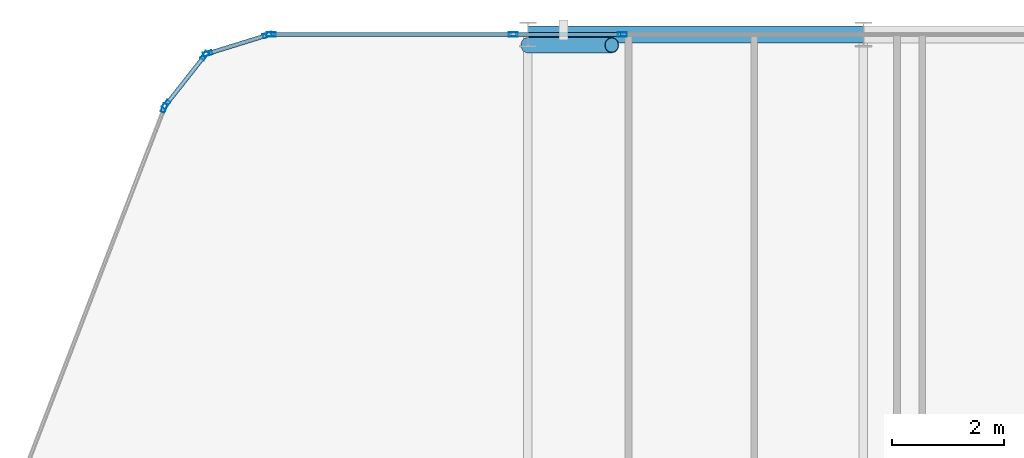
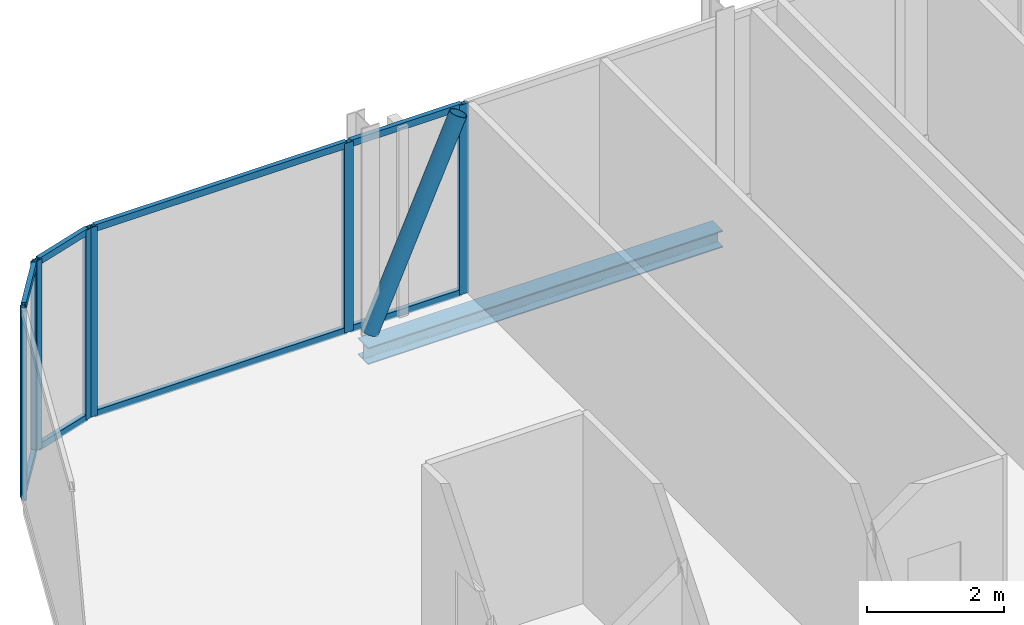
# One storey, part 18 of 29: 17 members, 1 beam, 5 elements without a shape of their own.
"""IFC4 building model written with IfcOpenShell, lengths in metres."""

from ifc_helpers import new_model, si_unit, direction, frame, origin, origin_2d, place, context, subcontext, project, spatial, hollow_rectangle, hollow_circle, i_section, extrude, material, layer, layer_set, material_profile, profile_set, type_object, element, aggregate, save


model = new_model("IFC4")

# Units and contexts
model_context = context("Model", 3, precision=1e-05, world=origin(), true_north=direction((0.0, 1.0)))
body_context = subcontext(model_context, "Body", "Model", "MODEL_VIEW")
ifc_project = project(units=[si_unit("LENGTHUNIT", "METRE"), si_unit("AREAUNIT", "SQUARE_METRE"), si_unit("VOLUMEUNIT", "CUBIC_METRE"), si_unit("PLANEANGLEUNIT", "RADIAN"), si_unit("MASSUNIT", "GRAM", prefix="KILO")], contexts=[model_context])

# Site, building, storey
site_placement = place(None, origin())
site = spatial("IfcSite", under=ifc_project, at=site_placement, CompositionType="ELEMENT")
building_placement = place(site_placement, origin())
building = spatial("IfcBuilding", under=site, at=building_placement, Name="Keshet Zoharim Tower", CompositionType="ELEMENT")
storey_placement = place(building_placement, frame((0.0, 0.0, 226.5)))
storey = spatial("IfcBuildingStorey", under=building, at=storey_placement, Name="L56", CompositionType="ELEMENT", Elevation=226.5)

# Beam
ifc_material_1 = material(Name="Steel S355", Category="steel")
ifc_material_profile_1 = material_profile(ifc_material_1, i_section(OverallWidth=0.300048828125, OverallDepth=0.300048828125, WebThickness=0.010986328125, FlangeThickness=0.01904296875, FilletRadius=0.027099609375, at=origin_2d()), Name="HEB300")
ifc_profile_set_1 = profile_set([ifc_material_profile_1], Name="Steel S355")
beam_type = type_object("IfcBeamType", Name="BM-PRI-HB300", PredefinedType="BEAM", material=ifc_profile_set_1)
beam_placement = place(storey_placement, frame((21.0, 53.89990234375, -0.4599609375), z_axis=(1.0, 0.0, 0.0), x_axis=(0.0, 1.0, 0.0)))
element("IfcBeam", 1, at=beam_placement, inside=storey, type_object=beam_type, Name="L56 Primary Girder X-019", PredefinedType="BEAM", context=body_context, shape_type="SweptSolid", body=[
    extrude(i_section(OverallWidth=0.300048828125, OverallDepth=0.300048828125, WebThickness=0.010986328125, FlangeThickness=0.01904296875, FilletRadius=0.027099609375, at=origin_2d()), origin(), (0.0, 0.0, 1.0), 6.0),
])

# Curtain wall, member
ifc_material_2 = material(Name="Aluminium 6063-T6", Category="aluminium")
ifc_layer = layer(ifc_material_2, 0.139892578125)
ifc_layer_set = layer_set([ifc_layer], Name="Aluminium 6063-T6")
curtain_wall_type = type_object("IfcCurtainWallType", Name="CW-SYS-05", PredefinedType="NOTDEFINED", material=ifc_layer_set)
curtain_wall_1_placement = place(storey_placement, origin())
curtain_wall_1 = element("IfcCurtainWall", 2, at=curtain_wall_1_placement, inside=storey, type_object=curtain_wall_type, Name="L56 Unitised Curtain Wall 13", PredefinedType="NOTDEFINED")
ifc_material_profile_2 = material_profile(ifc_material_2, hollow_rectangle(XDim=0.074951171875, YDim=0.159912109375, WallThickness=0.00390625, at=origin_2d()), Name="MUL-75x160")
ifc_profile_set_2 = profile_set([ifc_material_profile_2], Name="Aluminium 6063-T6")
member_type_1 = type_object("IfcMemberType", Name="CWM-M15", PredefinedType="MULLION", material=ifc_profile_set_2)
member_1_placement = place(storey_placement, frame((14.494384765625, 52.58544921875, 0.0), z_axis=(0.0, 0.0, 1.0), x_axis=(-0.933341404361, 0.358990003907, 0.0)))
member_1 = element("IfcMember", 3, at=member_1_placement, type_object=member_type_1, Name="CW-05 mullion 4", PredefinedType="MULLION", context=body_context, shape_type="SweptSolid", body=[
    extrude(hollow_rectangle(XDim=0.074951171875, YDim=0.159912109375, WallThickness=0.00390625, at=origin_2d()), origin(), (0.0, 0.0, 1.0), 3.389892578125),
])
aggregate(curtain_wall_1, [member_1])

# Curtain wall, members
curtain_wall_2_placement = place(storey_placement, origin())
curtain_wall_2 = element("IfcCurtainWall", 4, at=curtain_wall_2_placement, inside=storey, type_object=curtain_wall_type, Name="L56 Unitised Curtain Wall 14", PredefinedType="NOTDEFINED")
member_2_placement = place(storey_placement, frame((14.528564453125, 52.6455078125, 0.0), z_axis=(0.0, 0.0, 1.0), x_axis=(-0.785292825205, 0.619124525989, 0.0)))
member_2 = element("IfcMember", 5, at=member_2_placement, type_object=member_type_1, Name="CW-05 mullion 1", PredefinedType="MULLION", context=body_context, shape_type="SweptSolid", body=[
    extrude(hollow_rectangle(XDim=0.074951171875, YDim=0.159912109375, WallThickness=0.00390625, at=origin_2d()), origin(), (0.0, 0.0, 1.0), 3.389892578125),
])
member_3_placement = place(storey_placement, frame((15.21923828125, 53.521484375, 0.0), z_axis=(0.0, 0.0, 1.0), x_axis=(-0.785292825205, 0.619124525989, 0.0)))
member_3 = element("IfcMember", 6, at=member_3_placement, type_object=member_type_1, Name="CW-05 mullion 2", PredefinedType="MULLION", context=body_context, shape_type="SweptSolid", body=[
    extrude(hollow_rectangle(XDim=0.074951171875, YDim=0.159912109375, WallThickness=0.00390625, at=origin_2d()), origin(), (0.0, 0.0, 1.0), 3.389892578125),
])

curtain_wall_3_placement = place(storey_placement, origin())
curtain_wall_3 = element("IfcCurtainWall", 7, at=curtain_wall_3_placement, inside=storey, type_object=curtain_wall_type, Name="L56 Unitised Curtain Wall 15", PredefinedType="NOTDEFINED")
member_4_placement = place(storey_placement, frame((15.2744140625, 53.559326171875, 0.0), z_axis=(0.0, 0.0, 1.0), x_axis=(-0.295921857984, 0.955212151288, 0.0)))
member_4 = element("IfcMember", 8, at=member_4_placement, type_object=member_type_1, Name="CW-05 mullion 1", PredefinedType="MULLION", context=body_context, shape_type="SweptSolid", body=[
    extrude(hollow_rectangle(XDim=0.074951171875, YDim=0.159912109375, WallThickness=0.00390625, at=origin_2d()), origin(), (0.0, 0.0, 1.0), 3.389892578125),
])
member_5_placement = place(storey_placement, frame((16.340576171875, 53.8896484375, 0.0), z_axis=(0.0, 0.0, 1.0), x_axis=(-0.295921857984, 0.955212151288, 0.0)))
member_5 = element("IfcMember", 9, at=member_5_placement, type_object=member_type_1, Name="CW-05 mullion 2", PredefinedType="MULLION", context=body_context, shape_type="SweptSolid", body=[
    extrude(hollow_rectangle(XDim=0.074951171875, YDim=0.159912109375, WallThickness=0.00390625, at=origin_2d()), origin(), (0.0, 0.0, 1.0), 3.389892578125),
])

curtain_wall_4_placement = place(storey_placement, origin())
curtain_wall_4 = element("IfcCurtainWall", 10, at=curtain_wall_4_placement, inside=storey, type_object=curtain_wall_type, Name="L56 Unitised Curtain Wall 16", PredefinedType="NOTDEFINED")
member_6_placement = place(storey_placement, frame((16.408935546875, 53.89990234375, 0.0), z_axis=(0.0, 0.0, 1.0), x_axis=(0.0, 1.0, 0.0)))
member_6 = element("IfcMember", 11, at=member_6_placement, type_object=member_type_1, Name="CW-05 mullion 1", PredefinedType="MULLION", context=body_context, shape_type="SweptSolid", body=[
    extrude(hollow_rectangle(XDim=0.074951171875, YDim=0.159912109375, WallThickness=0.00390625, at=origin_2d()), origin(), (0.0, 0.0, 1.0), 3.389892578125),
])
member_7_placement = place(storey_placement, frame((20.740234375, 53.89990234375, 0.0), z_axis=(0.0, 0.0, 1.0), x_axis=(0.0, 1.0, 0.0)))
member_7 = element("IfcMember", 12, at=member_7_placement, type_object=member_type_1, Name="CW-05 mullion 2", PredefinedType="MULLION", context=body_context, shape_type="SweptSolid", body=[
    extrude(hollow_rectangle(XDim=0.074951171875, YDim=0.159912109375, WallThickness=0.00390625, at=origin_2d()), origin(), (0.0, 0.0, 1.0), 3.389892578125),
])

# Curtain wall, member
curtain_wall_5_placement = place(storey_placement, origin())
curtain_wall_5 = element("IfcCurtainWall", 13, at=curtain_wall_5_placement, inside=storey, type_object=curtain_wall_type, Name="L56 Unitised Curtain Wall 16 Part 2", PredefinedType="NOTDEFINED")
member_8_placement = place(storey_placement, frame((22.689697265625, 53.89990234375, 0.0), z_axis=(0.0, 0.0, 1.0), x_axis=(0.0, 1.0, 0.0)))
member_8 = element("IfcMember", 14, at=member_8_placement, type_object=member_type_1, Name="CW-05 mullion 2", PredefinedType="MULLION", context=body_context, shape_type="SweptSolid", body=[
    extrude(hollow_rectangle(XDim=0.074951171875, YDim=0.159912109375, WallThickness=0.00390625, at=origin_2d()), origin(), (0.0, 0.0, 1.0), 3.389892578125),
])

# Member
ifc_material_profile_3 = material_profile(ifc_material_2, hollow_rectangle(XDim=0.074951171875, YDim=0.1201171875, WallThickness=0.00390625, at=origin_2d()), Name="TRN-75x120")
ifc_profile_set_3 = profile_set([ifc_material_profile_3], Name="Aluminium 6063-T6")
member_type_2 = type_object("IfcMemberType", Name="CWT-T12", PredefinedType="USERDEFINED", material=ifc_profile_set_3)
member_9_placement = place(storey_placement, frame((14.55029296875, 52.6728515625, 0.034912109375), z_axis=(0.619099165969, 0.78531281837, 0.0), x_axis=(-0.78531281837, 0.619099165969, 0.0)))
member_9 = element("IfcMember", 15, at=member_9_placement, type_object=member_type_2, Name="CW-05 transom 1.1", ObjectType="TRANSOM", PredefinedType="USERDEFINED", context=body_context, shape_type="SweptSolid", body=[
    extrude(hollow_rectangle(XDim=0.074951171875, YDim=0.1201171875, WallThickness=0.00390625, at=origin_2d()), origin(), (0.0, 0.0, 1.0), 1.0458984375),
])

member_10_placement = place(storey_placement, frame((14.55029296875, 52.6728515625, 3.35498046875), z_axis=(0.619099165969, 0.78531281837, 0.0), x_axis=(-0.78531281837, 0.619099165969, 0.0)))
member_10 = element("IfcMember", 16, at=member_10_placement, type_object=member_type_2, Name="CW-05 transom 1.2", ObjectType="TRANSOM", PredefinedType="USERDEFINED", context=body_context, shape_type="SweptSolid", body=[
    extrude(hollow_rectangle(XDim=0.074951171875, YDim=0.1201171875, WallThickness=0.00390625, at=origin_2d()), origin(), (0.0, 0.0, 1.0), 1.0458984375),
])

aggregate(curtain_wall_2, [member_2, member_3, member_9, member_10])

member_11_placement = place(storey_placement, frame((15.307861328125, 53.56982421875, 0.034912109375), z_axis=(0.955212093062, 0.295922045933, 0.0), x_axis=(-0.295922045933, 0.955212093062, 0.0)))
member_11 = element("IfcMember", 17, at=member_11_placement, type_object=member_type_2, Name="CW-05 transom 1.1", ObjectType="TRANSOM", PredefinedType="USERDEFINED", context=body_context, shape_type="SweptSolid", body=[
    extrude(hollow_rectangle(XDim=0.074951171875, YDim=0.1201171875, WallThickness=0.00390625, at=origin_2d()), origin(), (0.0, 0.0, 1.0), 1.046142578125),
])

member_12_placement = place(storey_placement, frame((15.307861328125, 53.56982421875, 3.35498046875), z_axis=(0.955212093062, 0.295922045933, 0.0), x_axis=(-0.295922045933, 0.955212093062, 0.0)))
member_12 = element("IfcMember", 18, at=member_12_placement, type_object=member_type_2, Name="CW-05 transom 1.2", ObjectType="TRANSOM", PredefinedType="USERDEFINED", context=body_context, shape_type="SweptSolid", body=[
    extrude(hollow_rectangle(XDim=0.074951171875, YDim=0.1201171875, WallThickness=0.00390625, at=origin_2d()), origin(), (0.0, 0.0, 1.0), 1.046142578125),
])

aggregate(curtain_wall_3, [member_4, member_5, member_11, member_12])

member_13_placement = place(storey_placement, frame((16.444091796875, 53.89990234375, 0.034912109375), z_axis=(1.0, 0.0, 0.0), x_axis=(0.0, 1.0, 0.0)))
member_13 = element("IfcMember", 19, at=member_13_placement, type_object=member_type_2, Name="CW-05 transom 1.1", ObjectType="TRANSOM", PredefinedType="USERDEFINED", context=body_context, shape_type="SweptSolid", body=[
    extrude(hollow_rectangle(XDim=0.074951171875, YDim=0.1201171875, WallThickness=0.00390625, at=origin_2d()), origin(), (0.0, 0.0, 1.0), 4.260986328125),
])

member_14_placement = place(storey_placement, frame((16.444091796875, 53.89990234375, 3.35498046875), z_axis=(1.0, 0.0, 0.0), x_axis=(0.0, 1.0, 0.0)))
member_14 = element("IfcMember", 20, at=member_14_placement, type_object=member_type_2, Name="CW-05 transom 1.2", ObjectType="TRANSOM", PredefinedType="USERDEFINED", context=body_context, shape_type="SweptSolid", body=[
    extrude(hollow_rectangle(XDim=0.074951171875, YDim=0.1201171875, WallThickness=0.00390625, at=origin_2d()), origin(), (0.0, 0.0, 1.0), 4.260986328125),
])

aggregate(curtain_wall_4, [member_6, member_7, member_13, member_14])

member_15_placement = place(storey_placement, frame((20.775146484375, 53.89990234375, 0.034912109375), z_axis=(1.0, 0.0, 0.0), x_axis=(0.0, 1.0, 0.0)))
member_15 = element("IfcMember", 21, at=member_15_placement, type_object=member_type_2, Name="CW-05 transom 1.1", ObjectType="TRANSOM", PredefinedType="USERDEFINED", context=body_context, shape_type="SweptSolid", body=[
    extrude(hollow_rectangle(XDim=0.074951171875, YDim=0.1201171875, WallThickness=0.00390625, at=origin_2d()), origin(), (0.0, 0.0, 1.0), 1.879638671875),
])

member_16_placement = place(storey_placement, frame((20.775146484375, 53.89990234375, 3.35498046875), z_axis=(1.0, 0.0, 0.0), x_axis=(0.0, 1.0, 0.0)))
member_16 = element("IfcMember", 22, at=member_16_placement, type_object=member_type_2, Name="CW-05 transom 1.2", ObjectType="TRANSOM", PredefinedType="USERDEFINED", context=body_context, shape_type="SweptSolid", body=[
    extrude(hollow_rectangle(XDim=0.074951171875, YDim=0.1201171875, WallThickness=0.00390625, at=origin_2d()), origin(), (0.0, 0.0, 1.0), 1.879638671875),
])

aggregate(curtain_wall_5, [member_8, member_15, member_16])

ifc_material_profile_4 = material_profile(ifc_material_1, hollow_circle(Radius=0.136474609375, WallThickness=0.010009765625, at=origin_2d()), Name="CHS273x10")
ifc_profile_set_4 = profile_set([ifc_material_profile_4], Name="Steel S355")
member_type_3 = type_object("IfcMemberType", Name="MB-BR-C273", PredefinedType="BRACE", material=ifc_profile_set_4)
member_17_placement = place(storey_placement, frame((21.0, 53.7099609375, 0.0), z_axis=(0.40464689807, 0.0, 0.914473011019), x_axis=(0.0, 1.0, 0.0)))
element("IfcMember", 23, at=member_17_placement, inside=storey, type_object=member_type_3, Name="L56 Perimeter Tube Brace 02", PredefinedType="BRACE", context=body_context, shape_type="SweptSolid", body=[
    extrude(hollow_circle(Radius=0.136474609375, WallThickness=0.010009765625, at=origin_2d()), origin(), (0.0, 0.0, 1.0), 3.70703125),
])

save(model, "model.ifc")
